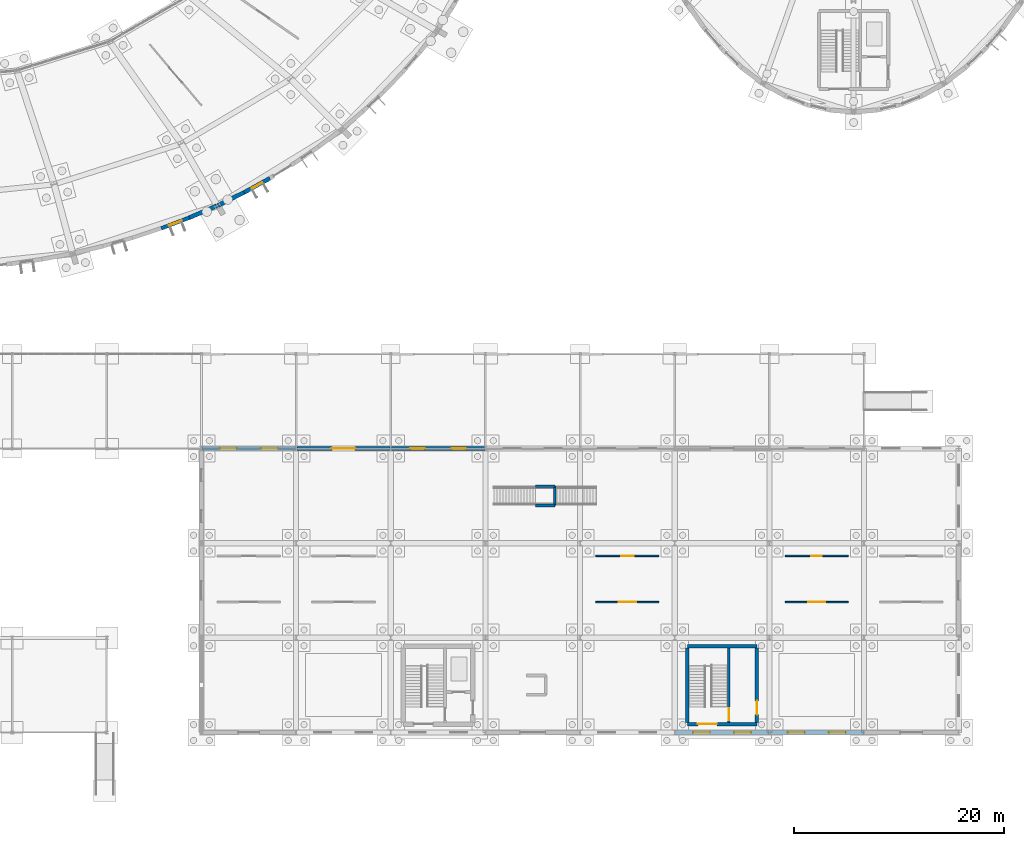
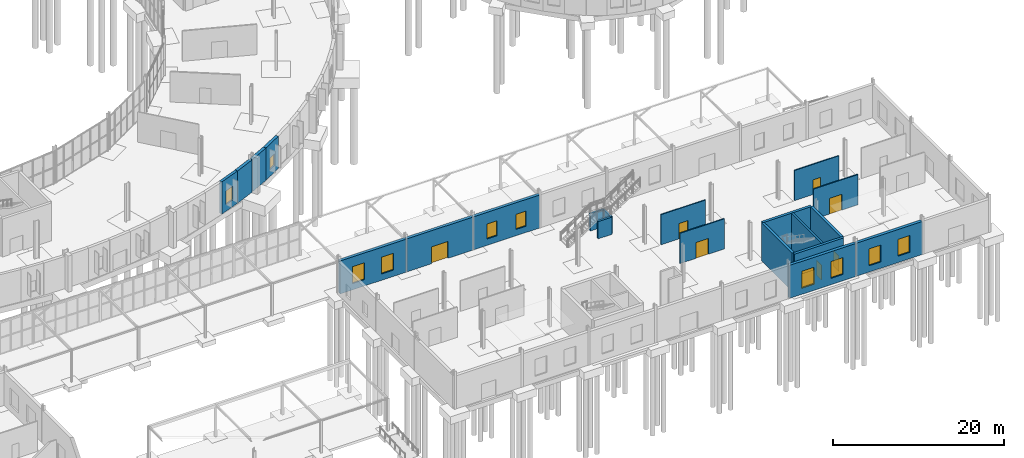
# One storey, part 91 of 118: 21 walls, 10 windows, 8 doors, 18 openings.
"""IFC4 building model written with IfcOpenShell, lengths in metres."""

from ifc_helpers import new_model, si_unit, direction, frame, frame_2d, origin, place, context, subcontext, project, spatial, rectangle, extrude, material, layer, layer_set, type_object, element, fill, save


model = new_model("IFC4")

# Units and contexts
model_context = context("Model", 3, precision=1e-05, world=origin(), true_north=direction((0.0, 1.0)))
body_context = subcontext(model_context, "Body", "Model", "MODEL_VIEW")
ifc_project = project(units=[si_unit("LENGTHUNIT", "METRE"), si_unit("AREAUNIT", "SQUARE_METRE"), si_unit("VOLUMEUNIT", "CUBIC_METRE"), si_unit("PLANEANGLEUNIT", "RADIAN"), si_unit("MASSUNIT", "GRAM", prefix="KILO")], contexts=[model_context])

# Site, building, storey
site_placement = place(None, origin())
site = spatial("IfcSite", under=ifc_project, at=site_placement, CompositionType="ELEMENT")
building_placement = place(site_placement, origin())
building = spatial("IfcBuilding", under=site, at=building_placement, Name="Kildeholm Park Wholesale Market", CompositionType="ELEMENT")
storey_placement = place(building_placement, origin())
storey = spatial("IfcBuildingStorey", under=building, at=storey_placement, Name="L00", CompositionType="ELEMENT", Elevation=0.0)

# Wall, opening, window
ifc_material_1 = material(Name="Red Danish clinker brick masonry with Concrete C35/45 backing", Category="masonry")
ifc_layer_1 = layer(ifc_material_1, 0.360107421875)
ifc_layer_set_1 = layer_set([ifc_layer_1], Name="Red Danish clinker brick masonry with Concrete C35/45 backing")
wall_type_1 = type_object("IfcWallType", Name="Exterior wall W-EX1 360 mm", PredefinedType="SOLIDWALL", material=ifc_layer_set_1)
wall_1_placement = place(storey_placement, frame((122.176025390625, 47.930908203125, 0.0), z_axis=(0.0, 0.0, 1.0), x_axis=(0.934663038469, 0.355534814779, 0.0)))
wall_1 = element("IfcWall", 1, at=wall_1_placement, inside=storey, type_object=wall_type_1, Name="Produce ring outer wall 20.4 WL-0165", PredefinedType="SOLIDWALL", context=body_context, shape_type="SweptSolid", body=[
    extrude(rectangle(XDim=2.8662109375, YDim=0.360107421875, at=frame_2d((1.43310546875, 0.0))), origin(), (0.0, 0.0, 1.0), 4.60009765625),
])
opening_1_placement = place(wall_1_placement, frame((0.782958984375, 0.0, 0.949951171875)))
opening_1 = element("IfcOpeningElement", 2, at=opening_1_placement, cuts=wall_1, Name="Opening WN-20", PredefinedType="OPENING", context=body_context, shape_type="SweptSolid", body=[
    extrude(rectangle(XDim=1.300048828125, YDim=1.949951171875, at=frame_2d((0.64990234375, 0.97509765625))), frame((0.0, 0.18994140625, 0.0), z_axis=(0.0, -1.0, 0.0), x_axis=(1.0, 0.0, 0.0)), (0.0, 0.0, 1.0), 0.380126953125),
])
ifc_material_2 = material(Name="Thermally broken aluminium and triple-glazed low-E glass", Category="aluminium")
window_type_1 = type_object("IfcWindowType", Name="Window WN-20 1300x1950", PartitioningType="DOUBLE_PANEL_VERTICAL", PredefinedType="WINDOW", material=ifc_material_2)
window_1_placement = place(opening_1_placement, origin())
window_1 = element("IfcWindow", 3, at=window_1_placement, inside=storey, type_object=window_type_1, Name="Produce hall arcade window 20.3 WIN-0036", OverallHeight=1.949951171875, OverallWidth=1.300048828125, PartitioningType="SINGLE_PANEL", PredefinedType="WINDOW", context=body_context, shape_type="SweptSolid", body=[
    extrude(rectangle(XDim=1.300048828125, YDim=1.949951171875, at=frame_2d((0.64990234375, 0.97509765625))), frame((0.0, 0.030029296875, 0.0), z_axis=(0.0, -1.0, 0.0), x_axis=(1.0, 0.0, 0.0)), (0.0, 0.0, 1.0), 0.06005859375),
])
fill(opening_1, window_1)

# Walls
ifc_material_3 = material(Name="Bornholm granite stone plinth and Concrete C35/45 wall", Category="masonry")
ifc_layer_2 = layer(ifc_material_3, 0.39990234375)
ifc_layer_set_2 = layer_set([ifc_layer_2], Name="Bornholm granite stone plinth and Concrete C35/45 wall")
wall_type_2 = type_object("IfcWallType", Name="Exterior wall W-EX2 400 mm", PredefinedType="SOLIDWALL", material=ifc_layer_set_2)
wall_2_placement = place(storey_placement, frame((124.85498046875, 48.949951171875, 0.0), z_axis=(0.0, 0.0, 1.0), x_axis=(0.917744542698, 0.397171190229, 0.0)))
element("IfcWall", 4, at=wall_2_placement, inside=storey, type_object=wall_type_2, Name="Produce ring outer wall 20.5 WL-0166", PredefinedType="SOLIDWALL", context=body_context, shape_type="SweptSolid", body=[
    extrude(rectangle(XDim=2.843017578125, YDim=0.39990234375, at=frame_2d((1.42138671875, 0.0))), origin(), (0.0, 0.0, 1.0), 4.60009765625),
])
wall_3_placement = place(storey_placement, frame((127.537109375, 50.113037109375, 0.0), z_axis=(0.0, 0.0, 1.0), x_axis=(0.898004688797, 0.439985884886, 0.0)))
element("IfcWall", 5, at=wall_3_placement, inside=storey, type_object=wall_type_2, Name="Produce ring outer wall 21.1 WL-0171", PredefinedType="SOLIDWALL", context=body_context, shape_type="SweptSolid", body=[
    extrude(rectangle(XDim=2.81591796875, YDim=0.39990234375, at=frame_2d((1.407958984375, 0.0))), origin(), (0.0, 0.0, 1.0), 4.60009765625),
])

# Wall, openings, windows
wall_4_placement = place(storey_placement, frame((171.06005859375, 0.0, 0.0), z_axis=(0.0, 0.0, 1.0), x_axis=(1.0, 0.0, 0.0)))
wall_4 = element("IfcWall", 6, at=wall_4_placement, inside=storey, type_object=wall_type_2, Name="Exterior wall V5E-L00-S06.1 WL-0576", PredefinedType="SOLIDWALL", context=body_context, shape_type="SweptSolid", body=[
    extrude(rectangle(XDim=8.8798828125, YDim=0.39990234375, at=frame_2d((4.43994140625, 0.0))), origin(), (0.0, 0.0, 1.0), 4.699951171875),
])
opening_2_placement = place(wall_4_placement, frame((1.68603515625, 0.0, 0.89990234375)))
opening_2 = element("IfcOpeningElement", 7, at=opening_2_placement, cuts=wall_4, Name="Opening WN-15", PredefinedType="OPENING", context=body_context, shape_type="SweptSolid", body=[
    extrude(rectangle(XDim=1.60009765625, YDim=2.39990234375, at=frame_2d((0.800048828125, 1.199951171875))), frame((0.0, 0.2099609375, 0.0), z_axis=(0.0, -1.0, 0.0), x_axis=(1.0, 0.0, 0.0)), (0.0, 0.0, 1.0), 0.419921875),
])
opening_3_placement = place(wall_4_placement, frame((5.593994140625, 0.0, 0.89990234375)))
opening_3 = element("IfcOpeningElement", 8, at=opening_3_placement, cuts=wall_4, Name="Opening WN-15", PredefinedType="OPENING", context=body_context, shape_type="SweptSolid", body=[
    extrude(rectangle(XDim=1.60009765625, YDim=2.39990234375, at=frame_2d((0.800048828125, 1.199951171875))), frame((0.0, 0.2099609375, 0.0), z_axis=(0.0, -1.0, 0.0), x_axis=(1.0, 0.0, 0.0)), (0.0, 0.0, 1.0), 0.419921875),
])
window_type_2 = type_object("IfcWindowType", Name="Window WN-15 1600x2400", PartitioningType="DOUBLE_PANEL_VERTICAL", PredefinedType="WINDOW", material=ifc_material_2)
window_2_placement = place(opening_2_placement, origin())
window_2 = element("IfcWindow", 9, at=window_2_placement, inside=storey, type_object=window_type_2, Name="Window V5E-L00-S06.1.1 WIN-0358", OverallHeight=2.39990234375, OverallWidth=1.60009765625, PartitioningType="SINGLE_PANEL", PredefinedType="WINDOW", context=body_context, shape_type="SweptSolid", body=[
    extrude(rectangle(XDim=1.60009765625, YDim=2.39990234375, at=frame_2d((0.800048828125, 1.199951171875))), frame((0.0, 0.030029296875, 0.0), z_axis=(0.0, -1.0, 0.0), x_axis=(1.0, 0.0, 0.0)), (0.0, 0.0, 1.0), 0.06005859375),
])
fill(opening_2, window_2)
window_3_placement = place(opening_3_placement, origin())
window_3 = element("IfcWindow", 10, at=window_3_placement, inside=storey, type_object=window_type_2, Name="Window V5E-L00-S06.1.2 WIN-0359", OverallHeight=2.39990234375, OverallWidth=1.60009765625, PartitioningType="SINGLE_PANEL", PredefinedType="WINDOW", context=body_context, shape_type="SweptSolid", body=[
    extrude(rectangle(XDim=1.60009765625, YDim=2.39990234375, at=frame_2d((0.800048828125, 1.199951171875))), frame((0.0, 0.030029296875, 0.0), z_axis=(0.0, -1.0, 0.0), x_axis=(1.0, 0.0, 0.0)), (0.0, 0.0, 1.0), 0.06005859375),
])
fill(opening_3, window_3)

wall_5_placement = place(storey_placement, frame((180.06005859375, 0.0, 0.0), z_axis=(0.0, 0.0, 1.0), x_axis=(1.0, 0.0, 0.0)))
wall_5 = element("IfcWall", 11, at=wall_5_placement, inside=storey, type_object=wall_type_2, Name="Exterior wall V5E-L00-S07.1 WL-0577", PredefinedType="SOLIDWALL", context=body_context, shape_type="SweptSolid", body=[
    extrude(rectangle(XDim=8.8798828125, YDim=0.39990234375, at=frame_2d((4.43994140625, 0.0))), origin(), (0.0, 0.0, 1.0), 4.699951171875),
])
opening_4_placement = place(wall_5_placement, frame((1.68603515625, 0.0, 0.89990234375)))
opening_4 = element("IfcOpeningElement", 12, at=opening_4_placement, cuts=wall_5, Name="Opening WN-15", PredefinedType="OPENING", context=body_context, shape_type="SweptSolid", body=[
    extrude(rectangle(XDim=1.60009765625, YDim=2.39990234375, at=frame_2d((0.800048828125, 1.199951171875))), frame((0.0, 0.2099609375, 0.0), z_axis=(0.0, -1.0, 0.0), x_axis=(1.0, 0.0, 0.0)), (0.0, 0.0, 1.0), 0.419921875),
])
opening_5_placement = place(wall_5_placement, frame((5.593994140625, 0.0, 0.89990234375)))
opening_5 = element("IfcOpeningElement", 13, at=opening_5_placement, cuts=wall_5, Name="Opening WN-15", PredefinedType="OPENING", context=body_context, shape_type="SweptSolid", body=[
    extrude(rectangle(XDim=1.60009765625, YDim=2.39990234375, at=frame_2d((0.800048828125, 1.199951171875))), frame((0.0, 0.2099609375, 0.0), z_axis=(0.0, -1.0, 0.0), x_axis=(1.0, 0.0, 0.0)), (0.0, 0.0, 1.0), 0.419921875),
])
window_4_placement = place(opening_4_placement, origin())
window_4 = element("IfcWindow", 14, at=window_4_placement, inside=storey, type_object=window_type_2, Name="Window V5E-L00-S07.1.1 WIN-0360", OverallHeight=2.39990234375, OverallWidth=1.60009765625, PartitioningType="SINGLE_PANEL", PredefinedType="WINDOW", context=body_context, shape_type="SweptSolid", body=[
    extrude(rectangle(XDim=1.60009765625, YDim=2.39990234375, at=frame_2d((0.800048828125, 1.199951171875))), frame((0.0, 0.030029296875, 0.0), z_axis=(0.0, -1.0, 0.0), x_axis=(1.0, 0.0, 0.0)), (0.0, 0.0, 1.0), 0.06005859375),
])
fill(opening_4, window_4)
window_5_placement = place(opening_5_placement, origin())
window_5 = element("IfcWindow", 15, at=window_5_placement, inside=storey, type_object=window_type_2, Name="Window V5E-L00-S07.1.2 WIN-0361", OverallHeight=2.39990234375, OverallWidth=1.60009765625, PartitioningType="SINGLE_PANEL", PredefinedType="WINDOW", context=body_context, shape_type="SweptSolid", body=[
    extrude(rectangle(XDim=1.60009765625, YDim=2.39990234375, at=frame_2d((0.800048828125, 1.199951171875))), frame((0.0, 0.030029296875, 0.0), z_axis=(0.0, -1.0, 0.0), x_axis=(1.0, 0.0, 0.0)), (0.0, 0.0, 1.0), 0.06005859375),
])
fill(opening_5, window_5)

wall_6_placement = place(storey_placement, frame((126.06005859375, 27.0, 0.0), z_axis=(0.0, 0.0, 1.0), x_axis=(1.0, 0.0, 0.0)))
wall_6 = element("IfcWall", 16, at=wall_6_placement, inside=storey, type_object=wall_type_2, Name="Exterior wall V5E-L00-N.1 WL-0579", PredefinedType="SOLIDWALL", context=body_context, shape_type="SweptSolid", body=[
    extrude(rectangle(XDim=8.8798828125, YDim=0.39990234375, at=frame_2d((4.43994140625, 0.0))), origin(), (0.0, 0.0, 1.0), 4.699951171875),
])
opening_6_placement = place(wall_6_placement, frame((1.68603515625, 0.0, 0.89990234375)))
opening_6 = element("IfcOpeningElement", 17, at=opening_6_placement, cuts=wall_6, Name="Opening WN-15", PredefinedType="OPENING", context=body_context, shape_type="SweptSolid", body=[
    extrude(rectangle(XDim=1.60009765625, YDim=2.39990234375, at=frame_2d((0.800048828125, 1.199951171875))), frame((0.0, 0.2099609375, 0.0), z_axis=(0.0, -1.0, 0.0), x_axis=(1.0, 0.0, 0.0)), (0.0, 0.0, 1.0), 0.419921875),
])
opening_7_placement = place(wall_6_placement, frame((5.593994140625, 0.0, 0.89990234375)))
opening_7 = element("IfcOpeningElement", 18, at=opening_7_placement, cuts=wall_6, Name="Opening WN-15", PredefinedType="OPENING", context=body_context, shape_type="SweptSolid", body=[
    extrude(rectangle(XDim=1.60009765625, YDim=2.39990234375, at=frame_2d((0.800048828125, 1.199951171875))), frame((0.0, 0.2099609375, 0.0), z_axis=(0.0, -1.0, 0.0), x_axis=(1.0, 0.0, 0.0)), (0.0, 0.0, 1.0), 0.419921875),
])
window_6_placement = place(opening_6_placement, origin())
window_6 = element("IfcWindow", 19, at=window_6_placement, inside=storey, type_object=window_type_2, Name="Window V5E-L00-N.1.1 WIN-0362", OverallHeight=2.39990234375, OverallWidth=1.60009765625, PartitioningType="SINGLE_PANEL", PredefinedType="WINDOW", context=body_context, shape_type="SweptSolid", body=[
    extrude(rectangle(XDim=1.60009765625, YDim=2.39990234375, at=frame_2d((0.800048828125, 1.199951171875))), frame((0.0, 0.030029296875, 0.0), z_axis=(0.0, -1.0, 0.0), x_axis=(1.0, 0.0, 0.0)), (0.0, 0.0, 1.0), 0.06005859375),
])
fill(opening_6, window_6)
window_7_placement = place(opening_7_placement, origin())
window_7 = element("IfcWindow", 20, at=window_7_placement, inside=storey, type_object=window_type_2, Name="Window V5E-L00-N.1.2 WIN-0363", OverallHeight=2.39990234375, OverallWidth=1.60009765625, PartitioningType="SINGLE_PANEL", PredefinedType="WINDOW", context=body_context, shape_type="SweptSolid", body=[
    extrude(rectangle(XDim=1.60009765625, YDim=2.39990234375, at=frame_2d((0.800048828125, 1.199951171875))), frame((0.0, 0.030029296875, 0.0), z_axis=(0.0, -1.0, 0.0), x_axis=(1.0, 0.0, 0.0)), (0.0, 0.0, 1.0), 0.06005859375),
])
fill(opening_7, window_7)

# Wall, opening, door
wall_7_placement = place(storey_placement, frame((135.06005859375, 27.0, 0.0), z_axis=(0.0, 0.0, 1.0), x_axis=(1.0, 0.0, 0.0)))
wall_7 = element("IfcWall", 21, at=wall_7_placement, inside=storey, type_object=wall_type_2, Name="Exterior wall V5E-L00-N.2 WL-0580", PredefinedType="SOLIDWALL", context=body_context, shape_type="SweptSolid", body=[
    extrude(rectangle(XDim=8.8798828125, YDim=0.39990234375, at=frame_2d((4.43994140625, 0.0))), origin(), (0.0, 0.0, 1.0), 4.699951171875),
])
opening_8_placement = place(wall_7_placement, frame((3.340087890625, 0.0, 0.0)))
opening_8 = element("IfcOpeningElement", 22, at=opening_8_placement, cuts=wall_7, Name="Opening D-EX03", PredefinedType="OPENING", context=body_context, shape_type="SweptSolid", body=[
    extrude(rectangle(XDim=2.199951171875, YDim=2.39990234375, at=frame_2d((1.10009765625, 1.199951171875))), frame((0.0, 0.2099609375, 0.0), z_axis=(0.0, -1.0, 0.0), x_axis=(1.0, 0.0, 0.0)), (0.0, 0.0, 1.0), 0.419921875),
])
ifc_material_4 = material(Name="Anodised aluminium and safety glass", Category="aluminium")
door_type_1 = type_object("IfcDoorType", Name="Exterior door D-EX03 2200x2400", OperationType="NOTDEFINED", PredefinedType="DOOR", material=ifc_material_4)
door_1_placement = place(opening_8_placement, origin())
door_1 = element("IfcDoor", 23, at=door_1_placement, inside=storey, type_object=door_type_1, Name="Door V5E-L00-N.2 DR-0064 WL-0580", OperationType="DOUBLE_DOOR_SINGLE_SWING", OverallHeight=2.39990234375, OverallWidth=2.199951171875, PredefinedType="DOOR", context=body_context, shape_type="SweptSolid", body=[
    extrude(rectangle(XDim=2.199951171875, YDim=2.39990234375, at=frame_2d((1.10009765625, 1.199951171875))), frame((0.0, 0.02490234375, 0.0), z_axis=(0.0, -1.0, 0.0), x_axis=(1.0, 0.0, 0.0)), (0.0, 0.0, 1.0), 0.050048828125),
])
fill(opening_8, door_1)

# Wall, openings, windows
wall_8_placement = place(storey_placement, frame((144.06005859375, 27.0, 0.0), z_axis=(0.0, 0.0, 1.0), x_axis=(1.0, 0.0, 0.0)))
wall_8 = element("IfcWall", 24, at=wall_8_placement, inside=storey, type_object=wall_type_2, Name="Exterior wall V5E-L00-N.3 WL-0581", PredefinedType="SOLIDWALL", context=body_context, shape_type="SweptSolid", body=[
    extrude(rectangle(XDim=8.8798828125, YDim=0.39990234375, at=frame_2d((4.43994140625, 0.0))), origin(), (0.0, 0.0, 1.0), 4.699951171875),
])
opening_9_placement = place(wall_8_placement, frame((1.81103515625, 0.0, 0.89990234375)))
opening_9 = element("IfcOpeningElement", 25, at=opening_9_placement, cuts=wall_8, Name="Opening WN-33", PredefinedType="OPENING", context=body_context, shape_type="SweptSolid", body=[
    extrude(rectangle(XDim=1.35009765625, YDim=2.14990234375, at=frame_2d((0.675048828125, 1.074951171875))), frame((0.0, 0.2099609375, 0.0), z_axis=(0.0, -1.0, 0.0), x_axis=(1.0, 0.0, 0.0)), (0.0, 0.0, 1.0), 0.419921875),
])
opening_10_placement = place(wall_8_placement, frame((5.718994140625, 0.0, 0.89990234375)))
opening_10 = element("IfcOpeningElement", 26, at=opening_10_placement, cuts=wall_8, Name="Opening WN-33", PredefinedType="OPENING", context=body_context, shape_type="SweptSolid", body=[
    extrude(rectangle(XDim=1.35009765625, YDim=2.14990234375, at=frame_2d((0.675048828125, 1.074951171875))), frame((0.0, 0.2099609375, 0.0), z_axis=(0.0, -1.0, 0.0), x_axis=(1.0, 0.0, 0.0)), (0.0, 0.0, 1.0), 0.419921875),
])
window_type_3 = type_object("IfcWindowType", Name="Window WN-33 1350x2150", PartitioningType="DOUBLE_PANEL_VERTICAL", PredefinedType="WINDOW", material=ifc_material_2)
window_8_placement = place(opening_9_placement, origin())
window_8 = element("IfcWindow", 27, at=window_8_placement, inside=storey, type_object=window_type_3, Name="Window V5E-L00-N.3.1 WIN-0364", OverallHeight=2.14990234375, OverallWidth=1.35009765625, PartitioningType="SINGLE_PANEL", PredefinedType="WINDOW", context=body_context, shape_type="SweptSolid", body=[
    extrude(rectangle(XDim=1.35009765625, YDim=2.14990234375, at=frame_2d((0.675048828125, 1.074951171875))), frame((0.0, 0.030029296875, 0.0), z_axis=(0.0, -1.0, 0.0), x_axis=(1.0, 0.0, 0.0)), (0.0, 0.0, 1.0), 0.06005859375),
])
fill(opening_9, window_8)
window_9_placement = place(opening_10_placement, origin())
window_9 = element("IfcWindow", 28, at=window_9_placement, inside=storey, type_object=window_type_3, Name="Window V5E-L00-N.3.2 WIN-0365", OverallHeight=2.14990234375, OverallWidth=1.35009765625, PartitioningType="SINGLE_PANEL", PredefinedType="WINDOW", context=body_context, shape_type="SweptSolid", body=[
    extrude(rectangle(XDim=1.35009765625, YDim=2.14990234375, at=frame_2d((0.675048828125, 1.074951171875))), frame((0.0, 0.030029296875, 0.0), z_axis=(0.0, -1.0, 0.0), x_axis=(1.0, 0.0, 0.0)), (0.0, 0.0, 1.0), 0.06005859375),
])
fill(opening_10, window_9)

# Wall, opening, window
ifc_material_5 = material(Name="Bornholm granite and ceramic-banded hall facade wall", Category="masonry")
ifc_layer_3 = layer(ifc_material_5, 0.389892578125)
ifc_layer_set_3 = layer_set([ifc_layer_3], Name="Bornholm granite and ceramic-banded hall facade wall")
wall_type_3 = type_object("IfcWallType", Name="Exterior wall W-EX5 390 mm", PredefinedType="SOLIDWALL", material=ifc_layer_set_3)
wall_9_placement = place(storey_placement, frame((130.06591796875, 51.35205078125, 0.0), z_axis=(0.0, 0.0, 1.0), x_axis=(0.876631400762, 0.481162537193, 0.0)))
wall_9 = element("IfcWall", 29, at=wall_9_placement, inside=storey, type_object=wall_type_3, Name="Produce ring outer wall 21.2 WL-0172", PredefinedType="SOLIDWALL", context=body_context, shape_type="SweptSolid", body=[
    extrude(rectangle(XDim=2.7890625, YDim=0.389892578125, at=frame_2d((1.39453125, 0.0))), origin(), (0.0, 0.0, 1.0), 4.60009765625),
])
opening_11_placement = place(wall_9_placement, frame((0.844970703125, 0.0, 0.949951171875)))
opening_11 = element("IfcOpeningElement", 30, at=opening_11_placement, cuts=wall_9, Name="Opening WN-19", PredefinedType="OPENING", context=body_context, shape_type="SweptSolid", body=[
    extrude(rectangle(XDim=1.10009765625, YDim=1.64990234375, at=frame_2d((0.550048828125, 0.824951171875))), frame((0.0, 0.204833984375, 0.0), z_axis=(0.0, -1.0, 0.0), x_axis=(1.0, 0.0, 0.0)), (0.0, 0.0, 1.0), 0.409912109375),
])
window_type_4 = type_object("IfcWindowType", Name="Window WN-19 1100x1650", PartitioningType="SINGLE_PANEL", PredefinedType="WINDOW", material=ifc_material_2)
window_10_placement = place(opening_11_placement, origin())
window_10 = element("IfcWindow", 31, at=window_10_placement, inside=storey, type_object=window_type_4, Name="Produce hall arcade window 21.1 WIN-0037", OverallHeight=1.64990234375, OverallWidth=1.10009765625, PartitioningType="SINGLE_PANEL", PredefinedType="WINDOW", context=body_context, shape_type="SweptSolid", body=[
    extrude(rectangle(XDim=1.10009765625, YDim=1.64990234375, at=frame_2d((0.550048828125, 0.824951171875))), frame((0.0, 0.030029296875, 0.0), z_axis=(0.0, -1.0, 0.0), x_axis=(1.0, 0.0, 0.0)), (0.0, 0.0, 1.0), 0.06005859375),
])
fill(opening_11, window_10)

# Wall, opening, door
ifc_material_6 = material(Name="Double-board acoustic laboratory partition")
ifc_layer_4 = layer(ifc_material_6, 0.139892578125)
ifc_layer_set_4 = layer_set([ifc_layer_4], Name="Double-board acoustic laboratory partition")
wall_type_4 = type_object("IfcWallType", Name="Partition W-PT03 140 mm", PredefinedType="PARTITIONING", material=ifc_layer_set_4)
wall_10_placement = place(storey_placement, frame((163.5, 16.800048828125, 0.0), z_axis=(0.0, 0.0, 1.0), x_axis=(1.0, 0.0, 0.0)))
wall_10 = element("IfcWall", 32, at=wall_10_placement, inside=storey, type_object=wall_type_4, Name="Interior partition W-V5E-L00-CN5 WL-1031", PredefinedType="PARTITIONING", context=body_context, shape_type="SweptSolid", body=[
    extrude(rectangle(XDim=6.0, YDim=0.139892578125, at=frame_2d((3.0, 0.0))), origin(), (0.0, 0.0, 1.0), 4.300048828125),
])
opening_12_placement = place(wall_10_placement, frame((2.39990234375, 0.0, 0.0)))
opening_12 = element("IfcOpeningElement", 33, at=opening_12_placement, cuts=wall_10, Name="Opening D-IN11", PredefinedType="OPENING", context=body_context, shape_type="SweptSolid", body=[
    extrude(rectangle(XDim=1.199951171875, YDim=2.199951171875, at=frame_2d((0.60009765625, 1.10009765625))), frame((0.0, 0.079833984375, 0.0), z_axis=(0.0, -1.0, 0.0), x_axis=(1.0, 0.0, 0.0)), (0.0, 0.0, 1.0), 0.159912109375),
])
ifc_material_7 = material(Name="Culinary workshop glazed doorset")
door_type_2 = type_object("IfcDoorType", Name="Interior door D-IN11 1200x2200", OperationType="NOTDEFINED", PredefinedType="DOOR", material=ifc_material_7)
door_2_placement = place(opening_12_placement, origin())
door_2 = element("IfcDoor", 34, at=door_2_placement, inside=storey, type_object=door_type_2, Name="Interior door V5E-L00-CN5 DR-0306 WL-1031", OperationType="SINGLE_SWING_RIGHT", OverallHeight=2.199951171875, OverallWidth=1.199951171875, PredefinedType="DOOR", context=body_context, shape_type="SweptSolid", body=[
    extrude(rectangle(XDim=1.199951171875, YDim=2.199951171875, at=frame_2d((0.60009765625, 1.10009765625))), frame((0.0, 0.02490234375, 0.0), z_axis=(0.0, -1.0, 0.0), x_axis=(1.0, 0.0, 0.0)), (0.0, 0.0, 1.0), 0.050048828125),
])
fill(opening_12, door_2)

wall_11_placement = place(storey_placement, frame((181.5, 16.800048828125, 0.0), z_axis=(0.0, 0.0, 1.0), x_axis=(1.0, 0.0, 0.0)))
wall_11 = element("IfcWall", 35, at=wall_11_placement, inside=storey, type_object=wall_type_4, Name="Interior partition W-V5E-L00-CN7 WL-1033", PredefinedType="PARTITIONING", context=body_context, shape_type="SweptSolid", body=[
    extrude(rectangle(XDim=6.0, YDim=0.139892578125, at=frame_2d((3.0, 0.0))), origin(), (0.0, 0.0, 1.0), 4.300048828125),
])
opening_13_placement = place(wall_11_placement, frame((2.5, 0.0, 0.0)))
opening_13 = element("IfcOpeningElement", 36, at=opening_13_placement, cuts=wall_11, Name="Opening D-IN02", PredefinedType="OPENING", context=body_context, shape_type="SweptSolid", body=[
    extrude(rectangle(XDim=1.0, YDim=2.10009765625, at=frame_2d((0.5, 1.050048828125))), frame((0.0, 0.079833984375, 0.0), z_axis=(0.0, -1.0, 0.0), x_axis=(1.0, 0.0, 0.0)), (0.0, 0.0, 1.0), 0.159912109375),
])
ifc_material_8 = material(Name="Hygienic laminate accessible WC doorset")
door_type_3 = type_object("IfcDoorType", Name="Interior door D-IN02 1000x2100", OperationType="NOTDEFINED", PredefinedType="DOOR", material=ifc_material_8)
door_3_placement = place(opening_13_placement, origin())
door_3 = element("IfcDoor", 37, at=door_3_placement, inside=storey, type_object=door_type_3, Name="Interior door V5E-L00-CN7 DR-0308 WL-1033", OperationType="SINGLE_SWING_RIGHT", OverallHeight=2.10009765625, OverallWidth=1.0, PredefinedType="DOOR", context=body_context, shape_type="SweptSolid", body=[
    extrude(rectangle(XDim=1.0, YDim=2.10009765625, at=frame_2d((0.5, 1.050048828125))), frame((0.0, 0.02490234375, 0.0), z_axis=(0.0, -1.0, 0.0), x_axis=(1.0, 0.0, 0.0)), (0.0, 0.0, 1.0), 0.050048828125),
])
fill(opening_13, door_3)

ifc_material_9 = material(Name="Fire-rated corridor and lobby partition")
ifc_layer_5 = layer(ifc_material_9, 0.14990234375)
ifc_layer_set_5 = layer_set([ifc_layer_5], Name="Fire-rated corridor and lobby partition")
wall_type_5 = type_object("IfcWallType", Name="Partition W-PT04 150 mm", PredefinedType="PARTITIONING", material=ifc_layer_set_5)
wall_12_placement = place(storey_placement, frame((163.5, 12.39990234375, 0.0), z_axis=(0.0, 0.0, 1.0), x_axis=(1.0, 0.0, 0.0)))
wall_12 = element("IfcWall", 38, at=wall_12_placement, inside=storey, type_object=wall_type_5, Name="Interior partition W-V5E-L00-CS5 WL-1030", PredefinedType="PARTITIONING", context=body_context, shape_type="SweptSolid", body=[
    extrude(rectangle(XDim=6.0, YDim=0.14990234375, at=frame_2d((3.0, 0.0))), origin(), (0.0, 0.0, 1.0), 4.300048828125),
])
opening_14_placement = place(wall_12_placement, frame((2.175048828125, 0.0, 0.0)))
opening_14 = element("IfcOpeningElement", 39, at=opening_14_placement, cuts=wall_12, Name="Opening D-IN06", PredefinedType="OPENING", context=body_context, shape_type="SweptSolid", body=[
    extrude(rectangle(XDim=1.64990234375, YDim=2.25, at=frame_2d((0.824951171875, 1.125))), frame((0.0, 0.0849609375, 0.0), z_axis=(0.0, -1.0, 0.0), x_axis=(1.0, 0.0, 0.0)), (0.0, 0.0, 1.0), 0.169921875),
])
ifc_material_10 = material(Name="Double-leaf auction and community hall doorset")
door_type_4 = type_object("IfcDoorType", Name="Interior door D-IN06 1650x2250", OperationType="NOTDEFINED", PredefinedType="DOOR", material=ifc_material_10)
door_4_placement = place(opening_14_placement, origin())
door_4 = element("IfcDoor", 40, at=door_4_placement, inside=storey, type_object=door_type_4, Name="Interior door V5E-L00-CS5 DR-0305 WL-1030", OperationType="DOUBLE_DOOR_SINGLE_SWING", OverallHeight=2.25, OverallWidth=1.64990234375, PredefinedType="DOOR", context=body_context, shape_type="SweptSolid", body=[
    extrude(rectangle(XDim=1.64990234375, YDim=2.25, at=frame_2d((0.824951171875, 1.125))), frame((0.0, 0.02490234375, 0.0), z_axis=(0.0, -1.0, 0.0), x_axis=(1.0, 0.0, 0.0)), (0.0, 0.0, 1.0), 0.050048828125),
])
fill(opening_14, door_4)

wall_13_placement = place(storey_placement, frame((181.5, 12.39990234375, 0.0), z_axis=(0.0, 0.0, 1.0), x_axis=(1.0, 0.0, 0.0)))
wall_13 = element("IfcWall", 41, at=wall_13_placement, inside=storey, type_object=wall_type_5, Name="Interior partition W-V5E-L00-CS7 WL-1032", PredefinedType="PARTITIONING", context=body_context, shape_type="SweptSolid", body=[
    extrude(rectangle(XDim=6.0, YDim=0.14990234375, at=frame_2d((3.0, 0.0))), origin(), (0.0, 0.0, 1.0), 4.300048828125),
])
opening_15_placement = place(wall_13_placement, frame((2.175048828125, 0.0, 0.0)))
opening_15 = element("IfcOpeningElement", 42, at=opening_15_placement, cuts=wall_13, Name="Opening D-IN06", PredefinedType="OPENING", context=body_context, shape_type="SweptSolid", body=[
    extrude(rectangle(XDim=1.64990234375, YDim=2.25, at=frame_2d((0.824951171875, 1.125))), frame((0.0, 0.0849609375, 0.0), z_axis=(0.0, -1.0, 0.0), x_axis=(1.0, 0.0, 0.0)), (0.0, 0.0, 1.0), 0.169921875),
])
door_5_placement = place(opening_15_placement, origin())
door_5 = element("IfcDoor", 43, at=door_5_placement, inside=storey, type_object=door_type_4, Name="Interior door V5E-L00-CS7 DR-0307 WL-1032", OperationType="DOUBLE_DOOR_SINGLE_SWING", OverallHeight=2.25, OverallWidth=1.64990234375, PredefinedType="DOOR", context=body_context, shape_type="SweptSolid", body=[
    extrude(rectangle(XDim=1.64990234375, YDim=2.25, at=frame_2d((0.824951171875, 1.125))), frame((0.0, 0.02490234375, 0.0), z_axis=(0.0, -1.0, 0.0), x_axis=(1.0, 0.0, 0.0)), (0.0, 0.0, 1.0), 0.050048828125),
])
fill(opening_15, door_5)

ifc_material_11 = material(Name="Concrete C40/50", Category="concrete")
ifc_layer_6 = layer(ifc_material_11, 0.25)
ifc_layer_set_6 = layer_set([ifc_layer_6], Name="Concrete C40/50")
wall_type_6 = type_object("IfcWallType", Name="Shear wall W-SH2 250 mm", PredefinedType="SHEAR", material=ifc_layer_set_6)
wall_14_placement = place(storey_placement, frame((176.14990234375, 0.949951171875, 0.0), z_axis=(0.0, 0.0, 1.0), x_axis=(0.0, 1.0, 0.0)))
wall_14 = element("IfcWall", 44, at=wall_14_placement, inside=storey, type_object=wall_type_6, Name="Core C07 shaft wall L00 WL-0776", PredefinedType="SHEAR", context=body_context, shape_type="SweptSolid", body=[
    extrude(rectangle(XDim=7.10009765625, YDim=0.25, at=frame_2d((3.550048828125, 0.0))), origin(), (0.0, 0.0, 1.0), 5.39990234375),
])
opening_16_placement = place(wall_14_placement, frame((0.199951171875, 0.0, 0.0)))
opening_16 = element("IfcOpeningElement", 45, at=opening_16_placement, cuts=wall_14, Name="Opening D-CR01", PredefinedType="OPENING", context=body_context, shape_type="SweptSolid", body=[
    extrude(rectangle(XDim=1.14990234375, YDim=2.14990234375, at=frame_2d((0.574951171875, 1.074951171875))), frame((0.0, 0.135009765625, 0.0), z_axis=(0.0, -1.0, 0.0), x_axis=(1.0, 0.0, 0.0)), (0.0, 0.0, 1.0), 0.27001953125),
])
ifc_material_12 = material(Name="Painted steel fire escape doorset", Category="steel")
door_type_5 = type_object("IfcDoorType", Name="Interior door D-CR01 1150x2150", OperationType="NOTDEFINED", PredefinedType="DOOR", material=ifc_material_12)
door_6_placement = place(opening_16_placement, origin())
door_6 = element("IfcDoor", 46, at=door_6_placement, inside=storey, type_object=door_type_5, Name="Core C07 stair fire door L00 DR-0138 WL-0776", OperationType="SINGLE_SWING_LEFT", OverallHeight=2.14990234375, OverallWidth=1.14990234375, PredefinedType="DOOR", context=body_context, shape_type="SweptSolid", body=[
    extrude(rectangle(XDim=1.14990234375, YDim=2.14990234375, at=frame_2d((0.574951171875, 1.074951171875))), frame((0.0, 0.02490234375, 0.0), z_axis=(0.0, -1.0, 0.0), x_axis=(1.0, 0.0, 0.0)), (0.0, 0.0, 1.0), 0.050048828125),
])
fill(opening_16, door_6)

# Walls
for number, where, z_axis, x_axis, name in (
    (47, (157.75, 21.580078125, 0.0), (0.0, 0.0, 1.0), (1.0, 0.0, 0.0), "Feature stair landing support wall ST-FT02-S WL-0916"),
    (48, (157.75, 23.419921875, 0.0), (0.0, 0.0, 1.0), (1.0, 0.0, 0.0), "Feature stair landing support wall ST-FT02-N WL-0917"),
):
    element("IfcWall", number, at=place(storey_placement, frame(where, z_axis=z_axis, x_axis=x_axis)), inside=storey, type_object=wall_type_6, Name=name, PredefinedType="SHEAR", context=body_context, shape_type="SweptSolid", body=[
        extrude(rectangle(XDim=1.85009765625, YDim=0.25, at=frame_2d((0.925048828125, 0.0))), origin(), (0.0, 0.0, 1.0), 2.4599609375),
    ])
wall_15_placement = place(storey_placement, frame((159.60009765625, 21.580078125, 0.0), z_axis=(0.0, 0.0, 1.0), x_axis=(0.0, 1.0, 0.0)))
element("IfcWall", 49, at=wall_15_placement, inside=storey, type_object=wall_type_6, Name="Feature stair landing cross wall ST-FT02 WL-0918", PredefinedType="SHEAR", context=body_context, shape_type="SweptSolid", body=[
    extrude(rectangle(XDim=1.83984375, YDim=0.25, at=frame_2d((0.919921875, 0.0))), origin(), (0.0, 0.0, 1.0), 2.4599609375),
])

# Wall, opening, door
ifc_layer_7 = layer(ifc_material_11, 0.35009765625)
ifc_layer_set_7 = layer_set([ifc_layer_7], Name="Concrete C40/50")
wall_type_7 = type_object("IfcWallType", Name="Shear wall W-SH3 350 mm", PredefinedType="SHEAR", material=ifc_layer_set_7)
wall_16_placement = place(storey_placement, frame((172.199951171875, 0.800048828125, 0.0), z_axis=(0.0, 0.0, 1.0), x_axis=(1.0, 0.0, 0.0)))
wall_16 = element("IfcWall", 50, at=wall_16_placement, inside=storey, type_object=wall_type_7, Name="Core C07 south shear wall L00 WL-0772", PredefinedType="SHEAR", context=body_context, shape_type="SweptSolid", body=[
    extrude(rectangle(XDim=6.60009765625, YDim=0.35009765625, at=frame_2d((3.300048828125, 0.0))), origin(), (0.0, 0.0, 1.0), 5.39990234375),
])
opening_17_placement = place(wall_16_placement, frame((1.0, 0.0, 0.0)))
opening_17 = element("IfcOpeningElement", 51, at=opening_17_placement, cuts=wall_16, Name="Opening D-EX05", PredefinedType="OPENING", context=body_context, shape_type="SweptSolid", body=[
    extrude(rectangle(XDim=1.800048828125, YDim=2.14990234375, at=frame_2d((0.89990234375, 1.074951171875))), frame((0.0, 0.18505859375, 0.0), z_axis=(0.0, -1.0, 0.0), x_axis=(1.0, 0.0, 0.0)), (0.0, 0.0, 1.0), 0.3701171875),
])
ifc_material_13 = material(Name="Painted galvanized steel escape doorset", Category="steel")
door_type_6 = type_object("IfcDoorType", Name="Exterior door D-EX05 1800x2150", OperationType="NOTDEFINED", PredefinedType="DOOR", material=ifc_material_13)
door_7_placement = place(opening_17_placement, frame((1.800048828125, 0.0, 0.0), z_axis=(0.0, 0.0, 1.0), x_axis=(-1.0, 0.0, 0.0)))
door_7 = element("IfcDoor", 52, at=door_7_placement, inside=storey, type_object=door_type_6, Name="Core C07 grade stair discharge door DR-0139 WL-0772", OperationType="DOUBLE_DOOR_SINGLE_SWING", OverallHeight=2.14990234375, OverallWidth=1.800048828125, PredefinedType="DOOR", context=body_context, shape_type="SweptSolid", body=[
    extrude(rectangle(XDim=1.800048828125, YDim=2.14990234375, at=frame_2d((0.89990234375, 1.074951171875))), frame((0.0, 0.02490234375, 0.0), z_axis=(0.0, -1.0, 0.0), x_axis=(1.0, 0.0, 0.0)), (0.0, 0.0, 1.0), 0.050048828125),
])
fill(opening_17, door_7)

# Walls
wall_17_placement = place(storey_placement, frame((172.199951171875, 8.199951171875, 0.0), z_axis=(0.0, 0.0, 1.0), x_axis=(1.0, 0.0, 0.0)))
element("IfcWall", 53, at=wall_17_placement, inside=storey, type_object=wall_type_7, Name="Core C07 north shear wall L00 WL-0773", PredefinedType="SHEAR", context=body_context, shape_type="SweptSolid", body=[
    extrude(rectangle(XDim=6.60009765625, YDim=0.35009765625, at=frame_2d((3.300048828125, 0.0))), origin(), (0.0, 0.0, 1.0), 5.39990234375),
])
wall_18_placement = place(storey_placement, frame((172.199951171875, 0.949951171875, 0.0), z_axis=(0.0, 0.0, 1.0), x_axis=(0.0, 1.0, 0.0)))
element("IfcWall", 54, at=wall_18_placement, inside=storey, type_object=wall_type_7, Name="Core C07 west shear wall L00 WL-0774", PredefinedType="SHEAR", context=body_context, shape_type="SweptSolid", body=[
    extrude(rectangle(XDim=7.10009765625, YDim=0.35009765625, at=frame_2d((3.550048828125, 0.0))), origin(), (0.0, 0.0, 1.0), 5.39990234375),
])

# Wall, opening, door
wall_19_placement = place(storey_placement, frame((178.800048828125, 0.949951171875, 0.0), z_axis=(0.0, 0.0, 1.0), x_axis=(0.0, 1.0, 0.0)))
wall_19 = element("IfcWall", 55, at=wall_19_placement, inside=storey, type_object=wall_type_7, Name="Core C07 east shear wall L00 WL-0775", PredefinedType="SHEAR", context=body_context, shape_type="SweptSolid", body=[
    extrude(rectangle(XDim=7.10009765625, YDim=0.35009765625, at=frame_2d((3.550048828125, 0.0))), origin(), (0.0, 0.0, 1.0), 5.39990234375),
])
opening_18_placement = place(wall_19_placement, frame((0.75, 0.0, 0.0)))
opening_18 = element("IfcOpeningElement", 56, at=opening_18_placement, cuts=wall_19, Name="Opening D-CR02", PredefinedType="OPENING", context=body_context, shape_type="SweptSolid", body=[
    extrude(rectangle(XDim=1.300048828125, YDim=2.14990234375, at=frame_2d((0.64990234375, 1.074951171875))), frame((0.0, 0.18505859375, 0.0), z_axis=(0.0, -1.0, 0.0), x_axis=(1.0, 0.0, 0.0)), (0.0, 0.0, 1.0), 0.3701171875),
])
ifc_material_14 = material(Name="Painted steel core lobby double-leaf doorset", Category="steel")
door_type_7 = type_object("IfcDoorType", Name="Interior door D-CR02 1300x2150", OperationType="NOTDEFINED", PredefinedType="DOOR", material=ifc_material_14)
door_8_placement = place(opening_18_placement, frame((1.300048828125, 0.0, 0.0), z_axis=(0.0, 0.0, 1.0), x_axis=(-1.0, 0.0, 0.0)))
door_8 = element("IfcDoor", 57, at=door_8_placement, inside=storey, type_object=door_type_7, Name="Core C07 lobby entrance door L00 DR-0137 WL-0775", OperationType="DOUBLE_DOOR_SINGLE_SWING", OverallHeight=2.14990234375, OverallWidth=1.300048828125, PredefinedType="DOOR", context=body_context, shape_type="SweptSolid", body=[
    extrude(rectangle(XDim=1.300048828125, YDim=2.14990234375, at=frame_2d((0.64990234375, 1.074951171875))), frame((0.0, 0.02490234375, 0.0), z_axis=(0.0, -1.0, 0.0), x_axis=(1.0, 0.0, 0.0)), (0.0, 0.0, 1.0), 0.050048828125),
])
fill(opening_18, door_8)

save(model, "model.ifc")
